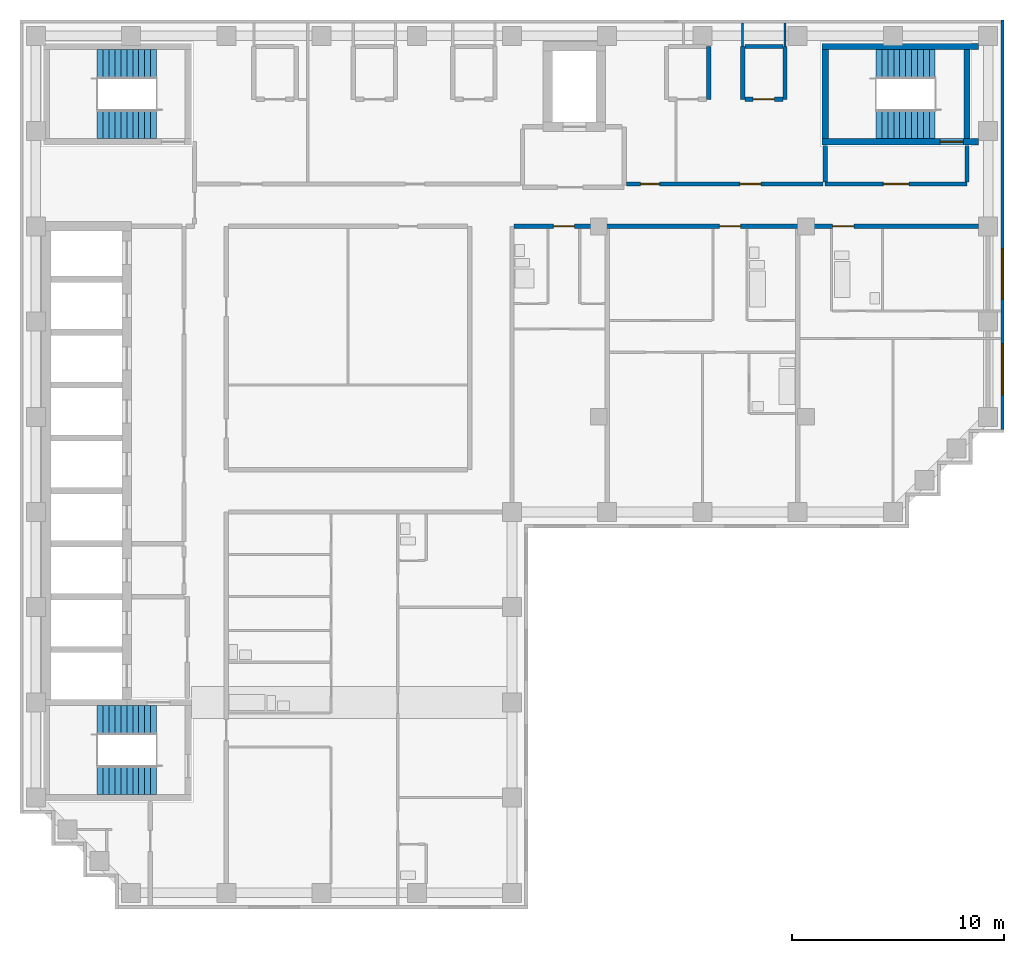
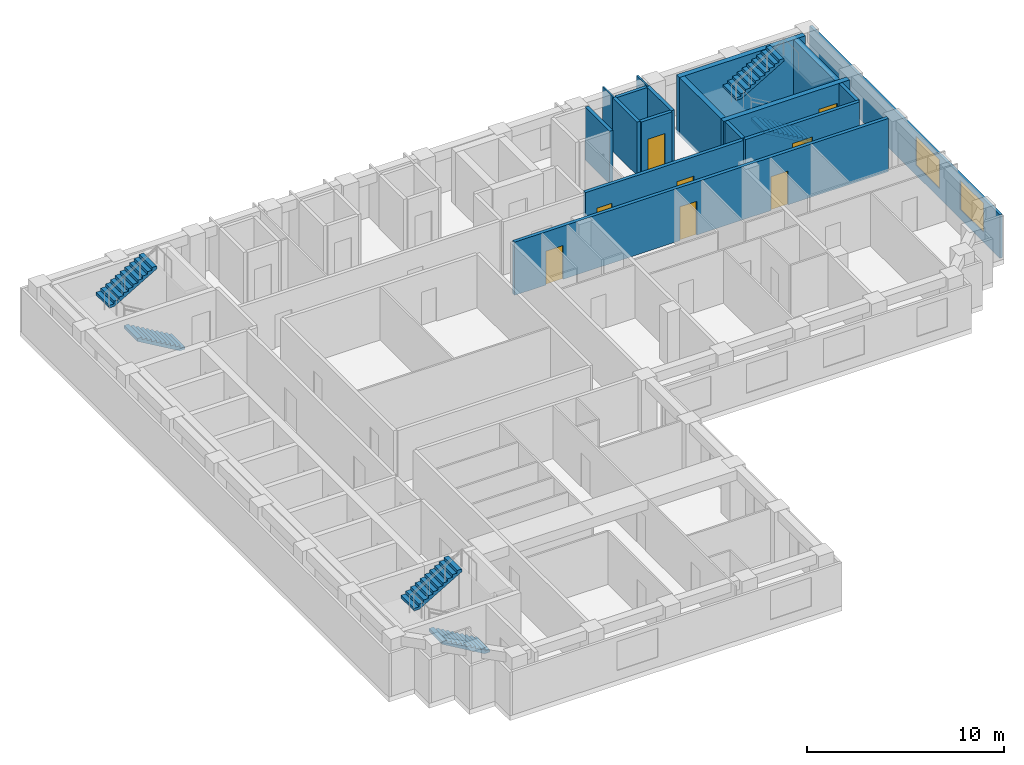
# One storey, part 6 of 8: 17 walls, 8 doors, 6 stair flights, 2 windows, 10 openings, 3 elements without a shape of their own.
"""IFC4 building model written with IfcOpenShell, lengths in metres."""

import ifcopenshell
import ifcopenshell.guid

model = None  # the IFC model being written
_history = None  # IfcOwnerHistory: only IFC2X3 demands one
_inside = {}  # id of a spatial element -> (the spatial element, [elements in it])
_under = {}  # id of a project, library or spatial element -> (it, [spatial elements below it])
_declared = {}  # id of a project -> (the project, [libraries it declares])
_typed = {}  # id of a type object -> (the type object, [elements of that type])
_made_of = {}  # id of a material, layer set ... -> (it, [elements and type objects made of it])


def new_model(schema):
    """Start an empty IFC model of exactly this schema.

    Asked for "IFC4X3", IfcOpenShell would pick the latest addendum, in which some entities
    have other attributes; the version numbers below select the first issue.
    IFC2X3 requires an IfcOwnerHistory on every rooted entity: one is made here for all.
    """
    global model, _history
    if schema == "IFC4X3":
        model = ifcopenshell.file(schema_version=(4, 3, 0, 0))
    else:
        model = ifcopenshell.file(schema=schema)
    _inside.clear()
    _under.clear()
    _declared.clear()
    _typed.clear()
    _made_of.clear()
    _history = None
    if model.schema == "IFC2X3":
        org = make("IfcOrganization", Name="unknown")
        user = make(
            "IfcPersonAndOrganization",
            ThePerson=make("IfcPerson", FamilyName="unknown"),
            TheOrganization=org,
        )
        app = make(
            "IfcApplication",
            ApplicationDeveloper=org,
            Version="unknown",
            ApplicationFullName="unknown",
            ApplicationIdentifier="unknown",
        )
        _history = make(
            "IfcOwnerHistory",
            OwningUser=user,
            OwningApplication=app,
            ChangeAction="ADDED",
            CreationDate=0,
        )
    return model


def make(cls, **values):
    """One entity of the class cls with the attributes given. An attribute that is None is left unset."""
    return model.create_entity(
        cls, **{name: value for name, value in values.items() if value is not None}
    )


def rooted(cls, **values):
    """An entity with a GlobalId (a new one), such as an element, a storey or a relation."""
    return make(cls, GlobalId=ifcopenshell.guid.new(), OwnerHistory=_history, **values)


def si_unit(unit_type, name, prefix=None):
    """IfcSIUnit, for example si_unit("LENGTHUNIT", "METRE", prefix="MILLI")."""
    return make("IfcSIUnit", UnitType=unit_type, Prefix=prefix, Name=name)


def assignment(units):
    """IfcUnitAssignment: the units of a project."""
    return None if units is None else make("IfcUnitAssignment", Units=units)


def point(xyz):
    """IfcCartesianPoint."""
    return None if xyz is None else make("IfcCartesianPoint", Coordinates=xyz)


def direction(xyz):
    """IfcDirection."""
    return None if xyz is None else make("IfcDirection", DirectionRatios=xyz)


def frame(location, z_axis=None, x_axis=None):
    """IfcAxis2Placement3D, a coordinate frame: its origin and axes. An axis left out is left unset."""
    return make(
        "IfcAxis2Placement3D",
        Location=point(location),
        Axis=direction(z_axis),
        RefDirection=direction(x_axis),
    )


def frame_2d(location, x_axis=None):
    """IfcAxis2Placement2D, a coordinate frame in the plane: its origin and x axis."""
    return make(
        "IfcAxis2Placement2D", Location=point(location), RefDirection=direction(x_axis)
    )


def origin():
    """The frame at (0, 0, 0) with its axes left unset."""
    return frame((0.0, 0.0, 0.0))


def place(relative_to, where):
    """IfcLocalPlacement: puts the frame where relative to a parent placement (None: the world)."""
    return make(
        "IfcLocalPlacement", PlacementRelTo=relative_to, RelativePlacement=where
    )


def context(
    kind, dimensions, precision=None, world=None, true_north=None, identifier=None
):
    """IfcGeometricRepresentationContext, for example the 3D "Model" context."""
    return make(
        "IfcGeometricRepresentationContext",
        ContextIdentifier=identifier,
        ContextType=kind,
        CoordinateSpaceDimension=dimensions,
        Precision=precision,
        WorldCoordinateSystem=world,
        TrueNorth=true_north,
    )


def subcontext(parent, identifier, kind, view, scale=None):
    """IfcGeometricRepresentationSubContext, for example "Body" below "Model"."""
    return make(
        "IfcGeometricRepresentationSubContext",
        ContextIdentifier=identifier,
        ContextType=kind,
        ParentContext=parent,
        TargetScale=scale,
        TargetView=view,
    )


def project(units=None, contexts=None):
    """IfcProject with its units and contexts."""
    return rooted(
        "IfcProject",
        Name="project",
        RepresentationContexts=contexts,
        UnitsInContext=assignment(units),
    )


def spatial(cls, under=None, at=None, **own):
    """A site, building, storey or space (cls), placed at a placement, below another one or the project."""
    s = rooted(cls, ObjectPlacement=at, **own)
    if under is not None:
        _under.setdefault(under.id(), (under, []))[1].append(s)
    return s


def polyline(points):
    """IfcPolyline through the points."""
    return make("IfcPolyline", Points=[point(p) for p in points])


def profile(cls, at=None, kind="AREA", **sizes):
    """A parametric profile (cls). Its sizes go by their IFC names, for example OverallWidth=200.0."""
    return make(cls, ProfileType=kind, Position=at, **sizes)


def rectangle(**sizes):
    """IfcRectangleProfileDef."""
    return profile("IfcRectangleProfileDef", **sizes)


def outline(outer, holes=None, kind="AREA"):
    """IfcArbitraryClosedProfileDef: a profile drawn as a closed curve; with holes, ...WithVoids."""
    if holes is None:
        return make("IfcArbitraryClosedProfileDef", ProfileType=kind, OuterCurve=outer)
    return make(
        "IfcArbitraryProfileDefWithVoids",
        ProfileType=kind,
        OuterCurve=outer,
        InnerCurves=holes,
    )


def extrude(swept, where, along, depth):
    """IfcExtrudedAreaSolid: the profile swept, set in the frame where, extruded along a direction by depth."""
    return make(
        "IfcExtrudedAreaSolid",
        SweptArea=swept,
        Position=where,
        ExtrudedDirection=direction(along),
        Depth=depth,
    )


def shape(context_of_items, identifier, shape_type, items):
    """IfcShapeRepresentation: the items that make up one representation, for example the "Body"."""
    return make(
        "IfcShapeRepresentation",
        ContextOfItems=context_of_items,
        RepresentationIdentifier=identifier,
        RepresentationType=shape_type,
        Items=items,
    )


def material(Name=None, Category=None):
    """IfcMaterial."""
    return make("IfcMaterial", Name=Name, Category=Category)


def layer(
    of_material, thickness, ventilated=None, Name=None, Category=None, Priority=None
):
    """IfcMaterialLayer: one layer of a wall or slab, of a material (None: an air gap)."""
    return make(
        "IfcMaterialLayer",
        Material=of_material,
        LayerThickness=thickness,
        IsVentilated=ventilated,
        Name=Name,
        Category=Category,
        Priority=Priority,
    )


def layer_set(layers, Name=None):
    """IfcMaterialLayerSet."""
    return make("IfcMaterialLayerSet", MaterialLayers=layers, LayerSetName=Name)


def made_of(thing, what):
    """Note that an element or type object is made of a material, layer set ...; save() writes the relation."""
    if what is not None:
        _made_of.setdefault(what.id(), (what, []))[1].append(thing)
    return thing


def type_object(cls, material=None, **own):
    """A type object (cls), such as IfcWallType, which elements share."""
    return made_of(rooted(cls, **own), material)


def element(
    cls,
    number,
    at=None,
    inside=None,
    cuts=None,
    type_object=None,
    material=None,
    context=None,
    identifier="Body",
    shape_type=None,
    held_by="IfcProductDefinitionShape",
    body=None,
    shapes=None,
    **own,
):
    """One element of the class cls, such as IfcWall. Its Tag is "e" and its number.

    at: its placement. inside: the storey or other place that contains it. cuts: it is an
    opening in that element (IfcRelVoidsElement). A single representation is given by context,
    identifier, shape_type and body (its items); several are given by shapes. held_by: the class
    of the entity that holds the representations. save() writes the other relations.
    """
    e = rooted(cls, Tag="e%d" % number, ObjectPlacement=at, **own)
    if body is not None:
        shapes = [shape(context, identifier, shape_type, body)]
    if shapes is not None:
        e.Representation = make(held_by, Representations=shapes)
    if inside is not None:
        _inside.setdefault(inside.id(), (inside, []))[1].append(e)
    if cuts is not None:
        rooted(
            "IfcRelVoidsElement", RelatingBuildingElement=cuts, RelatedOpeningElement=e
        )
    if type_object is not None:
        _typed.setdefault(type_object.id(), (type_object, []))[1].append(e)
    return made_of(e, material)


def fill(opening, filler):
    """IfcRelFillsElement: the door or window that sits in an opening."""
    return rooted(
        "IfcRelFillsElement",
        RelatingOpeningElement=opening,
        RelatedBuildingElement=filler,
    )


def aggregate(whole, parts):
    """IfcRelAggregates: a whole, such as a stair, and the parts it consists of."""
    return rooted("IfcRelAggregates", RelatingObject=whole, RelatedObjects=parts)


def save(model, path):
    """Write the relations noted so far, then the file.

    IfcRelAggregates (storeys below a building ...), IfcRelContainedInSpatialStructure (elements
    in a storey), IfcRelDefinesByType, IfcRelAssociatesMaterial and IfcRelDeclares: one each for
    every whole, place, type object, material and project.
    """
    for whole, parts in _under.values():
        aggregate(whole, parts)
    for where, things in _inside.values():
        rooted(
            "IfcRelContainedInSpatialStructure",
            RelatedElements=things,
            RelatingStructure=where,
        )
    for kind, things in _typed.values():
        rooted("IfcRelDefinesByType", RelatedObjects=things, RelatingType=kind)
    for what, things in _made_of.values():
        rooted("IfcRelAssociatesMaterial", RelatedObjects=things, RelatingMaterial=what)
    for by, libraries in _declared.values():
        rooted("IfcRelDeclares", RelatingContext=by, RelatedDefinitions=libraries)
    model.write(path)


model = new_model("IFC4")

# Units and contexts
model_context = context("Model", 3, precision=1e-05, world=origin(), true_north=direction((0.0, 1.0)))
body_context = subcontext(model_context, "Body", "Model", "MODEL_VIEW")
ifc_project = project(units=[si_unit("LENGTHUNIT", "METRE"), si_unit("AREAUNIT", "SQUARE_METRE"), si_unit("VOLUMEUNIT", "CUBIC_METRE"), si_unit("PLANEANGLEUNIT", "RADIAN"), si_unit("MASSUNIT", "GRAM", prefix="KILO")], contexts=[model_context])

# Site, building, storey
site_placement = place(None, origin())
site = spatial("IfcSite", under=ifc_project, at=site_placement, CompositionType="ELEMENT")
building_placement = place(site_placement, origin())
building = spatial("IfcBuilding", under=site, at=building_placement, Name="Firuza Court", CompositionType="ELEMENT")
storey_placement = place(building_placement, frame((0.0, 0.0, 251.0)))
storey = spatial("IfcBuildingStorey", under=building, at=storey_placement, Name="L65", CompositionType="ELEMENT", Elevation=251.0)

# Wall, opening, door
ifc_material_1 = material(Name="Concrete C50/60", Category="concrete")
ifc_layer_1 = layer(ifc_material_1, 0.300048828125)
ifc_layer_set_1 = layer_set([ifc_layer_1], Name="Concrete C50/60")
wall_type_1 = type_object("IfcWallType", Name="Core wall 300 C50/60", PredefinedType="SHEAR", material=ifc_layer_set_1)
wall_1_placement = place(storey_placement, frame((37.14990234375, 53.5, -0.300048828125), z_axis=(0.0, 0.0, 1.0), x_axis=(1.0, 0.0, 0.0)))
wall_1 = element("IfcWall", 1, at=wall_1_placement, inside=storey, type_object=wall_type_1, Name="Core wall stair L65", PredefinedType="SHEAR", context=body_context, shape_type="SweptSolid", body=[
    extrude(rectangle(XDim=7.400146484375, YDim=0.300048828125, at=frame_2d((3.7001953125, 0.0))), origin(), (0.0, 0.0, 1.0), 3.60009765625),
])
opening_1_placement = place(wall_1_placement, frame((5.580078125, 0.0, 0.300048828125)))
opening_1 = element("IfcOpeningElement", 2, at=opening_1_placement, cuts=wall_1, Name="Opening D65008", PredefinedType="OPENING", context=body_context, shape_type="SweptSolid", body=[
    extrude(rectangle(XDim=1.10009765625, YDim=2.10009765625, at=frame_2d((0.550048828125, 1.050048828125))), frame((0.0, 0.162109375, 0.0), z_axis=(0.0, -1.0, 0.0), x_axis=(1.0, 0.0, 0.0)), (0.0, 0.0, 1.0), 0.323974609375),
])
ifc_material_2 = material(Name="Timber door leaf in hardwood frame", Category="wood")
door_type_1 = type_object("IfcDoorType", Name="Stair door 1100", OperationType="SINGLE_SWING_LEFT", PredefinedType="DOOR", material=ifc_material_2)
door_1_placement = place(opening_1_placement, origin())
door_1 = element("IfcDoor", 3, at=door_1_placement, inside=storey, type_object=door_type_1, Name="Stair door S1", OperationType="SINGLE_SWING_RIGHT", OverallHeight=2.10009765625, OverallWidth=1.10009765625, PredefinedType="DOOR", context=body_context, shape_type="SweptSolid", body=[
    extrude(rectangle(XDim=1.10009765625, YDim=2.10009765625, at=frame_2d((0.550048828125, 1.050048828125))), frame((0.0, 0.02490234375, 0.0), z_axis=(0.0, -1.0, 0.0), x_axis=(1.0, 0.0, 0.0)), (0.0, 0.0, 1.0), 0.050048828125),
])
fill(opening_1, door_1)

# Walls
wall_2_placement = place(storey_placement, frame((37.14990234375, 58.0, -0.300048828125), z_axis=(0.0, 0.0, 1.0), x_axis=(1.0, 0.0, 0.0)))
element("IfcWall", 4, at=wall_2_placement, inside=storey, type_object=wall_type_1, Name="Core wall stair L65", PredefinedType="SHEAR", context=body_context, shape_type="SweptSolid", body=[
    extrude(rectangle(XDim=7.400146484375, YDim=0.300048828125, at=frame_2d((3.7001953125, 0.0))), origin(), (0.0, 0.0, 1.0), 3.60009765625),
])
for number, where, z_axis, x_axis, name in (
    (5, (37.300048828125, 53.64990234375, -0.300048828125), (0.0, 0.0, 1.0), (0.0, 1.0, 0.0), "Core wall stair L65"),
    (6, (44.0, 53.64990234375, -0.300048828125), (0.0, 0.0, 1.0), (0.0, 1.0, 0.0), "Core wall stair L65"),
):
    element("IfcWall", number, at=place(storey_placement, frame(where, z_axis=z_axis, x_axis=x_axis)), inside=storey, type_object=wall_type_1, Name=name, PredefinedType="SHEAR", context=body_context, shape_type="SweptSolid", body=[
        extrude(rectangle(XDim=4.2001953125, YDim=0.300048828125, at=frame_2d((2.10009765625, 0.0))), origin(), (0.0, 0.0, 1.0), 3.60009765625),
    ])

# Wall, openings, doors
ifc_material_3 = material(Name="Blockwork, plastered both sides", Category="masonry")
ifc_layer_2 = layer(ifc_material_3, 0.199951171875)
ifc_layer_set_2 = layer_set([ifc_layer_2], Name="Blockwork, plastered both sides")
wall_type_2 = type_object("IfcWallType", Name="Corridor wall 200", PredefinedType="PARTITIONING", material=ifc_layer_set_2)
wall_3_placement = place(storey_placement, frame((22.60009765625, 49.5, 0.0), z_axis=(0.0, 0.0, 1.0), x_axis=(1.0, 0.0, 0.0)))
wall_3 = element("IfcWall", 7, at=wall_3_placement, inside=storey, type_object=wall_type_2, Name="Corridor wall 200 L65", PredefinedType="PARTITIONING", context=body_context, shape_type="SweptSolid", body=[
    extrude(rectangle(XDim=21.949951171875, YDim=0.199951171875, at=frame_2d((10.97509765625, 0.0))), origin(), (0.0, 0.0, 1.0), 3.300048828125),
])
opening_2_placement = place(wall_3_placement, frame((1.85009765625, 0.0, 0.0)))
opening_2 = element("IfcOpeningElement", 8, at=opening_2_placement, cuts=wall_3, Name="Opening D65040", PredefinedType="OPENING", context=body_context, shape_type="SweptSolid", body=[
    extrude(rectangle(XDim=1.0, YDim=2.10009765625, at=frame_2d((0.5, 1.050048828125))), frame((0.0, 0.11181640625, 0.0), z_axis=(0.0, -1.0, 0.0), x_axis=(1.0, 0.0, 0.0)), (0.0, 0.0, 1.0), 0.223876953125),
])
opening_3_placement = place(wall_3_placement, frame((9.699951171875, 0.0, 0.0)))
opening_3 = element("IfcOpeningElement", 9, at=opening_3_placement, cuts=wall_3, Name="Opening D65041", PredefinedType="OPENING", context=body_context, shape_type="SweptSolid", body=[
    extrude(rectangle(XDim=1.0, YDim=2.10009765625, at=frame_2d((0.5, 1.050048828125))), frame((0.0, 0.11181640625, 0.0), z_axis=(0.0, -1.0, 0.0), x_axis=(1.0, 0.0, 0.0)), (0.0, 0.0, 1.0), 0.223876953125),
])
opening_4_placement = place(wall_3_placement, frame((15.050048828125, 0.0, 0.0)))
opening_4 = element("IfcOpeningElement", 10, at=opening_4_placement, cuts=wall_3, Name="Opening D65042", PredefinedType="OPENING", context=body_context, shape_type="SweptSolid", body=[
    extrude(rectangle(XDim=1.0, YDim=2.10009765625, at=frame_2d((0.5, 1.050048828125))), frame((0.0, 0.11181640625, 0.0), z_axis=(0.0, -1.0, 0.0), x_axis=(1.0, 0.0, 0.0)), (0.0, 0.0, 1.0), 0.223876953125),
])
ifc_material_4 = material(Name="Timber door leaf in hardwood frame", Category="wood")
door_type_2 = type_object("IfcDoorType", Name="Flat entrance door 1000", OperationType="SINGLE_SWING_LEFT", PredefinedType="DOOR", material=ifc_material_4)
door_2_placement = place(opening_2_placement, origin())
door_2 = element("IfcDoor", 11, at=door_2_placement, inside=storey, type_object=door_type_2, Name="Flat entrance door", OperationType="SINGLE_SWING_RIGHT", OverallHeight=2.10009765625, OverallWidth=1.0, PredefinedType="DOOR", context=body_context, shape_type="SweptSolid", body=[
    extrude(rectangle(XDim=1.0, YDim=2.10009765625, at=frame_2d((0.5, 1.050048828125))), frame((0.0, 0.02490234375, 0.0), z_axis=(0.0, -1.0, 0.0), x_axis=(1.0, 0.0, 0.0)), (0.0, 0.0, 1.0), 0.050048828125),
])
fill(opening_2, door_2)
door_3_placement = place(opening_3_placement, origin())
door_3 = element("IfcDoor", 12, at=door_3_placement, inside=storey, type_object=door_type_2, Name="Flat entrance door", OperationType="SINGLE_SWING_RIGHT", OverallHeight=2.10009765625, OverallWidth=1.0, PredefinedType="DOOR", context=body_context, shape_type="SweptSolid", body=[
    extrude(rectangle(XDim=1.0, YDim=2.10009765625, at=frame_2d((0.5, 1.050048828125))), frame((0.0, 0.02490234375, 0.0), z_axis=(0.0, -1.0, 0.0), x_axis=(1.0, 0.0, 0.0)), (0.0, 0.0, 1.0), 0.050048828125),
])
fill(opening_3, door_3)
door_4_placement = place(opening_4_placement, frame((1.0, 0.0, 0.0), z_axis=(0.0, 0.0, 1.0), x_axis=(-1.0, 0.0, 0.0)))
door_4 = element("IfcDoor", 13, at=door_4_placement, inside=storey, type_object=door_type_2, Name="Flat entrance door", OperationType="SINGLE_SWING_RIGHT", OverallHeight=2.10009765625, OverallWidth=1.0, PredefinedType="DOOR", context=body_context, shape_type="SweptSolid", body=[
    extrude(rectangle(XDim=1.0, YDim=2.10009765625, at=frame_2d((0.5, 1.050048828125))), frame((0.0, 0.02490234375, 0.0), z_axis=(0.0, -1.0, 0.0), x_axis=(1.0, 0.0, 0.0)), (0.0, 0.0, 1.0), 0.050048828125),
])
fill(opening_4, door_4)

wall_4_placement = place(storey_placement, frame((27.89990234375, 51.5, 0.0), z_axis=(0.0, 0.0, 1.0), x_axis=(1.0, 0.0, 0.0)))
wall_4 = element("IfcWall", 14, at=wall_4_placement, inside=storey, type_object=wall_type_2, Name="Corridor wall 200 L65", PredefinedType="PARTITIONING", context=body_context, shape_type="SweptSolid", body=[
    extrude(rectangle(XDim=9.300048828125, YDim=0.199951171875, at=frame_2d((4.64990234375, 0.0))), origin(), (0.0, 0.0, 1.0), 3.300048828125),
])
opening_5_placement = place(wall_4_placement, frame((0.675048828125, 0.0, 0.0)))
opening_5 = element("IfcOpeningElement", 15, at=opening_5_placement, cuts=wall_4, Name="Opening D65045", PredefinedType="OPENING", context=body_context, shape_type="SweptSolid", body=[
    extrude(rectangle(XDim=0.89990234375, YDim=2.10009765625, at=frame_2d((0.449951171875, 1.050048828125))), frame((0.0, 0.11181640625, 0.0), z_axis=(0.0, -1.0, 0.0), x_axis=(1.0, 0.0, 0.0)), (0.0, 0.0, 1.0), 0.223876953125),
])
opening_6_placement = place(wall_4_placement, frame((5.375, 0.0, 0.0)))
opening_6 = element("IfcOpeningElement", 16, at=opening_6_placement, cuts=wall_4, Name="Opening D65046", PredefinedType="OPENING", context=body_context, shape_type="SweptSolid", body=[
    extrude(rectangle(XDim=1.0, YDim=2.10009765625, at=frame_2d((0.5, 1.050048828125))), frame((0.0, 0.11181640625, 0.0), z_axis=(0.0, -1.0, 0.0), x_axis=(1.0, 0.0, 0.0)), (0.0, 0.0, 1.0), 0.223876953125),
])
ifc_material_5 = material(Name="Timber door leaf in hardwood frame", Category="wood")
door_type_3 = type_object("IfcDoorType", Name="Room door 900 EI 30", OperationType="SINGLE_SWING_LEFT", PredefinedType="DOOR", material=ifc_material_5)
door_5_placement = place(opening_5_placement, origin())
door_5 = element("IfcDoor", 17, at=door_5_placement, inside=storey, type_object=door_type_3, Name="Meeting room door", OperationType="SINGLE_SWING_LEFT", OverallHeight=2.10009765625, OverallWidth=0.89990234375, PredefinedType="DOOR", context=body_context, shape_type="SweptSolid", body=[
    extrude(rectangle(XDim=0.89990234375, YDim=2.10009765625, at=frame_2d((0.449951171875, 1.050048828125))), frame((0.0, 0.02490234375, 0.0), z_axis=(0.0, -1.0, 0.0), x_axis=(1.0, 0.0, 0.0)), (0.0, 0.0, 1.0), 0.050048828125),
])
fill(opening_5, door_5)
ifc_material_6 = material(Name="Timber door leaf in hardwood frame", Category="wood")
door_type_4 = type_object("IfcDoorType", Name="Store door 1000", OperationType="SINGLE_SWING_LEFT", PredefinedType="DOOR", material=ifc_material_6)
door_6_placement = place(opening_6_placement, origin())
door_6 = element("IfcDoor", 18, at=door_6_placement, inside=storey, type_object=door_type_4, Name="Electrical room door", OperationType="SINGLE_SWING_LEFT", OverallHeight=2.10009765625, OverallWidth=1.0, PredefinedType="DOOR", context=body_context, shape_type="SweptSolid", body=[
    extrude(rectangle(XDim=1.0, YDim=2.10009765625, at=frame_2d((0.5, 1.050048828125))), frame((0.0, 0.02490234375, 0.0), z_axis=(0.0, -1.0, 0.0), x_axis=(1.0, 0.0, 0.0)), (0.0, 0.0, 1.0), 0.050048828125),
])
fill(opening_6, door_6)

# Walls
ifc_material_7 = material(Name="Timber stud partition, plasterboard both sides", Category="wood")
ifc_layer_3 = layer(ifc_material_7, 0.10009765625)
ifc_layer_set_3 = layer_set([ifc_layer_3], Name="Timber stud partition, plasterboard both sides")
wall_type_3 = type_object("IfcWallType", Name="Partition wall 100", PredefinedType="PARTITIONING", material=ifc_layer_set_3)
for number, where, z_axis, x_axis, name in (
    (19, (33.39990234375, 58.0, 0.0), (0.0, 0.0, 1.0), (0.0, 1.0, 0.0), "Partition wall 100 L65"),
    (20, (35.39990234375, 58.0, 0.0), (0.0, 0.0, 1.0), (0.0, 1.0, 0.0), "Partition wall 100 L65"),
):
    element("IfcWall", number, at=place(storey_placement, frame(where, z_axis=z_axis, x_axis=x_axis)), inside=storey, type_object=wall_type_3, Name=name, PredefinedType="PARTITIONING", context=body_context, shape_type="SweptSolid", body=[
        extrude(rectangle(XDim=1.10009765625, YDim=0.10009765625, at=frame_2d((0.550048828125, 0.0))), origin(), (0.0, 0.0, 1.0), 3.300048828125),
    ])
ifc_material_8 = material(Name="Blockwork, fire-rated", Category="masonry")
ifc_layer_4 = layer(ifc_material_8, 0.199951171875)
ifc_layer_set_4 = layer_set([ifc_layer_4], Name="Blockwork, fire-rated")
wall_type_4 = type_object("IfcWallType", Name="Plant room wall 200", PredefinedType="PARTITIONING", material=ifc_layer_set_4)
for number, where, z_axis, x_axis, name in (
    (21, (31.800048828125, 55.5, 0.0), (0.0, 0.0, 1.0), (0.0, 1.0, 0.0), "Plant room wall 200 L65"),
    (22, (33.39990234375, 55.5, 0.0), (0.0, 0.0, 1.0), (0.0, 1.0, 0.0), "Plant room wall 200 L65"),
):
    element("IfcWall", number, at=place(storey_placement, frame(where, z_axis=z_axis, x_axis=x_axis)), inside=storey, type_object=wall_type_4, Name=name, PredefinedType="PARTITIONING", context=body_context, shape_type="SweptSolid", body=[
        extrude(rectangle(XDim=2.5, YDim=0.199951171875, at=frame_2d((1.25, 0.0))), origin(), (0.0, 0.0, 1.0), 3.300048828125),
    ])

# Wall, opening, door
wall_5_placement = place(storey_placement, frame((33.5, 55.5, 0.0), z_axis=(0.0, 0.0, 1.0), x_axis=(1.0, 0.0, 0.0)))
wall_5 = element("IfcWall", 23, at=wall_5_placement, inside=storey, type_object=wall_type_4, Name="Plant room wall 200 L65", PredefinedType="PARTITIONING", context=body_context, shape_type="SweptSolid", body=[
    extrude(rectangle(XDim=1.800048828125, YDim=0.199951171875, at=frame_2d((0.89990234375, 0.0))), origin(), (0.0, 0.0, 1.0), 3.300048828125),
])
opening_7_placement = place(wall_5_placement, frame((0.39990234375, 0.0, 0.0)))
opening_7 = element("IfcOpeningElement", 24, at=opening_7_placement, cuts=wall_5, Name="Opening D65051", PredefinedType="OPENING", context=body_context, shape_type="SweptSolid", body=[
    extrude(rectangle(XDim=1.0, YDim=2.10009765625, at=frame_2d((0.5, 1.050048828125))), frame((0.0, 0.11181640625, 0.0), z_axis=(0.0, -1.0, 0.0), x_axis=(1.0, 0.0, 0.0)), (0.0, 0.0, 1.0), 0.223876953125),
])
ifc_material_9 = material(Name="Timber door leaf in hardwood frame", Category="wood")
door_type_5 = type_object("IfcDoorType", Name="Riser door 1000", OperationType="SINGLE_SWING_LEFT", PredefinedType="DOOR", material=ifc_material_9)
door_7_placement = place(opening_7_placement, origin())
door_7 = element("IfcDoor", 25, at=door_7_placement, inside=storey, type_object=door_type_5, Name="Duct riser door", OperationType="SINGLE_SWING_LEFT", OverallHeight=2.10009765625, OverallWidth=1.0, PredefinedType="DOOR", context=body_context, shape_type="SweptSolid", body=[
    extrude(rectangle(XDim=1.0, YDim=2.10009765625, at=frame_2d((0.5, 1.050048828125))), frame((0.0, 0.02490234375, 0.0), z_axis=(0.0, -1.0, 0.0), x_axis=(1.0, 0.0, 0.0)), (0.0, 0.0, 1.0), 0.050048828125),
])
fill(opening_7, door_7)

# Walls
wall_6_placement = place(storey_placement, frame((35.39990234375, 55.5, 0.0), z_axis=(0.0, 0.0, 1.0), x_axis=(0.0, 1.0, 0.0)))
element("IfcWall", 26, at=wall_6_placement, inside=storey, type_object=wall_type_4, Name="Plant room wall 200 L65", PredefinedType="PARTITIONING", context=body_context, shape_type="SweptSolid", body=[
    extrude(rectangle(XDim=2.5, YDim=0.199951171875, at=frame_2d((1.25, 0.0))), origin(), (0.0, 0.0, 1.0), 3.300048828125),
])
wall_7_placement = place(storey_placement, frame((33.5, 58.0, 0.0), z_axis=(0.0, 0.0, 1.0), x_axis=(1.0, 0.0, 0.0)))
element("IfcWall", 27, at=wall_7_placement, inside=storey, type_object=wall_type_4, Name="Plant room wall 200 L65", PredefinedType="PARTITIONING", context=body_context, shape_type="SweptSolid", body=[
    extrude(rectangle(XDim=1.800048828125, YDim=0.199951171875, at=frame_2d((0.89990234375, 0.0))), origin(), (0.0, 0.0, 1.0), 3.300048828125),
])

# Wall, openings, windows
ifc_material_10 = material(Name="Ceramic tile", Category="ceramic")
ifc_layer_5 = layer(ifc_material_10, 0.02001953125)
ifc_material_11 = material(Name="Mineral wool insulation", Category="insulation")
ifc_layer_6 = layer(ifc_material_11, 0.050048828125)
ifc_material_12 = material(Name="Concrete C40/50 precast", Category="concrete")
ifc_layer_7 = layer(ifc_material_12, 0.080078125)
ifc_layer_set_5 = layer_set([ifc_layer_5, ifc_layer_6, ifc_layer_7], Name="Concrete C40/50 precast")
wall_type_5 = type_object("IfcWallType", Name="Precast cladding wall with turquoise TILE PANEL face 150", PredefinedType="STANDARD", material=ifc_layer_set_5)
wall_8_placement = place(storey_placement, frame((45.675048828125, 39.89990234375, 0.0), z_axis=(0.0, 0.0, 1.0), x_axis=(0.0, 1.0, 0.0)))
wall_8 = element("IfcWall", 28, at=wall_8_placement, inside=storey, type_object=wall_type_5, Name="Facade wall L65 E", PredefinedType="STANDARD", context=body_context, shape_type="SweptSolid", body=[
    extrude(rectangle(XDim=19.35009765625, YDim=0.14990234375, at=frame_2d((9.675048828125, 0.0))), origin(), (0.0, 0.0, 1.0), 2.699951171875),
])
opening_8_placement = place(wall_8_placement, frame((1.64990234375, 0.0, 0.60009765625)))
opening_8 = element("IfcOpeningElement", 29, at=opening_8_placement, cuts=wall_8, Name="Opening W1", PredefinedType="OPENING", context=body_context, shape_type="SweptSolid", body=[
    extrude(rectangle(XDim=2.39990234375, YDim=1.800048828125, at=frame_2d((1.199951171875, 0.89990234375))), frame((0.0, 0.0869140625, 0.0), z_axis=(0.0, -1.0, 0.0), x_axis=(1.0, 0.0, 0.0)), (0.0, 0.0, 1.0), 0.173828125),
])
opening_9_placement = place(wall_8_placement, frame((6.14990234375, 0.0, 0.60009765625)))
opening_9 = element("IfcOpeningElement", 30, at=opening_9_placement, cuts=wall_8, Name="Opening W1", PredefinedType="OPENING", context=body_context, shape_type="SweptSolid", body=[
    extrude(rectangle(XDim=2.39990234375, YDim=1.800048828125, at=frame_2d((1.199951171875, 0.89990234375))), frame((0.0, 0.0869140625, 0.0), z_axis=(0.0, -1.0, 0.0), x_axis=(1.0, 0.0, 0.0)), (0.0, 0.0, 1.0), 0.173828125),
])
ifc_material_13 = material(Name="Aluminium frame, triple clear glazing", Category="aluminium")
window_type = type_object("IfcWindowType", Name="Window W1 2400 x 1800", PartitioningType="SINGLE_PANEL", PredefinedType="WINDOW", material=ifc_material_13)
window_1_placement = place(opening_8_placement, origin())
window_1 = element("IfcWindow", 31, at=window_1_placement, inside=storey, type_object=window_type, Name="Window L65", OverallHeight=1.800048828125, OverallWidth=2.39990234375, PartitioningType="SINGLE_PANEL", PredefinedType="WINDOW", context=body_context, shape_type="SweptSolid", body=[
    extrude(rectangle(XDim=2.39990234375, YDim=1.800048828125, at=frame_2d((1.199951171875, 0.89990234375))), frame((0.0, 0.030029296875, 0.0), z_axis=(0.0, -1.0, 0.0), x_axis=(1.0, 0.0, 0.0)), (0.0, 0.0, 1.0), 0.06005859375),
])
fill(opening_8, window_1)
window_2_placement = place(opening_9_placement, origin())
window_2 = element("IfcWindow", 32, at=window_2_placement, inside=storey, type_object=window_type, Name="Window L65", OverallHeight=1.800048828125, OverallWidth=2.39990234375, PartitioningType="SINGLE_PANEL", PredefinedType="WINDOW", context=body_context, shape_type="SweptSolid", body=[
    extrude(rectangle(XDim=2.39990234375, YDim=1.800048828125, at=frame_2d((1.199951171875, 0.89990234375))), frame((0.0, 0.030029296875, 0.0), z_axis=(0.0, -1.0, 0.0), x_axis=(1.0, 0.0, 0.0)), (0.0, 0.0, 1.0), 0.06005859375),
])
fill(opening_9, window_2)

# Wall, opening, door
ifc_layer_8 = layer(ifc_material_8, 0.199951171875)
ifc_layer_set_6 = layer_set([ifc_layer_8], Name="Blockwork, fire-rated")
wall_type_6 = type_object("IfcWallType", Name="Shaft wall 200", PredefinedType="PARTITIONING", material=ifc_layer_set_6)
wall_9_placement = place(storey_placement, frame((37.300048828125, 51.5, 0.0), z_axis=(0.0, 0.0, 1.0), x_axis=(1.0, 0.0, 0.0)))
wall_9 = element("IfcWall", 33, at=wall_9_placement, inside=storey, type_object=wall_type_6, Name="Shaft wall 200 L65", PredefinedType="PARTITIONING", context=body_context, shape_type="SweptSolid", body=[
    extrude(rectangle(XDim=6.699951171875, YDim=0.199951171875, at=frame_2d((3.35009765625, 0.0))), origin(), (0.0, 0.0, 1.0), 3.300048828125),
])
opening_10_placement = place(wall_9_placement, frame((2.75, 0.0, 0.0)))
opening_10 = element("IfcOpeningElement", 34, at=opening_10_placement, cuts=wall_9, Name="Opening D65006", PredefinedType="OPENING", context=body_context, shape_type="SweptSolid", body=[
    extrude(rectangle(XDim=1.199951171875, YDim=2.10009765625, at=frame_2d((0.60009765625, 1.050048828125))), frame((0.0, 0.11181640625, 0.0), z_axis=(0.0, -1.0, 0.0), x_axis=(1.0, 0.0, 0.0)), (0.0, 0.0, 1.0), 0.223876953125),
])
ifc_material_14 = material(Name="Timber door leaf in hardwood frame", Category="wood")
door_type_6 = type_object("IfcDoorType", Name="Lobby door 1200", OperationType="SINGLE_SWING_LEFT", PredefinedType="DOOR", material=ifc_material_14)
door_8_placement = place(opening_10_placement, origin())
door_8 = element("IfcDoor", 35, at=door_8_placement, inside=storey, type_object=door_type_6, Name="Lobby door", OperationType="SINGLE_SWING_LEFT", OverallHeight=2.10009765625, OverallWidth=1.199951171875, PredefinedType="DOOR", context=body_context, shape_type="SweptSolid", body=[
    extrude(rectangle(XDim=1.199951171875, YDim=2.10009765625, at=frame_2d((0.60009765625, 1.050048828125))), frame((0.0, 0.02490234375, 0.0), z_axis=(0.0, -1.0, 0.0), x_axis=(1.0, 0.0, 0.0)), (0.0, 0.0, 1.0), 0.050048828125),
])
fill(opening_10, door_8)

# Walls
for number, where, z_axis, x_axis, name in (
    (36, (44.0, 51.60009765625, 0.0), (0.0, 0.0, 1.0), (0.0, 1.0, 0.0), "Shaft wall 200 L65"),
    (37, (37.300048828125, 51.60009765625, 0.0), (0.0, 0.0, 1.0), (0.0, 1.0, 0.0), "Shaft wall 200 L65"),
):
    element("IfcWall", number, at=place(storey_placement, frame(where, z_axis=z_axis, x_axis=x_axis)), inside=storey, type_object=wall_type_6, Name=name, PredefinedType="PARTITIONING", context=body_context, shape_type="SweptSolid", body=[
        extrude(rectangle(XDim=1.72998046875, YDim=0.199951171875, at=frame_2d((0.864990234375, 0.0))), origin(), (0.0, 0.0, 1.0), 3.300048828125),
    ])

# Stair, stair flights
ifc_material_15 = material(Name="Concrete C40/50 precast", Category="concrete")
stair_type = type_object("IfcStairType", Name="Stair 1350 x 3600 2 flights", PredefinedType="HALF_TURN_STAIR", material=ifc_material_15)
stair_1_placement = place(storey_placement, origin())
stair_1 = element("IfcStair", 38, at=stair_1_placement, inside=storey, type_object=stair_type, Name="Stair 1 L65", PredefinedType="HALF_TURN_STAIR")
ifc_material_16 = material(Name="Concrete C40/50 precast", Category="concrete")
stair_flight_type = type_object("IfcStairFlightType", Name="Flight 1350 riser 163.6", PredefinedType="STRAIGHT", material=ifc_material_16)
stair_flight_1_placement = place(storey_placement, frame((42.5, 54.324951171875, 0.0), z_axis=(0.0, 0.0, 1.0), x_axis=(-1.0, 0.0, 0.0)))
stair_flight_1 = element("IfcStairFlight", 39, at=stair_flight_1_placement, type_object=stair_flight_type, Name="S1 flight 1", NumberOfRisers=11, NumberOfTreads=10, PredefinedType="STRAIGHT", RiserHeight=0.163636364, TreadLength=0.28, context=body_context, shape_type="SweptSolid", body=[
    extrude(outline(polyline([(0.0, 0.0), (0.0, 0.16357421875), (0.280029296875, 0.16357421875), (0.280029296875, 0.327392578125), (0.56005859375, 0.327392578125), (0.56005859375, 0.490966796875), (0.840087890625, 0.490966796875), (0.840087890625, 0.654541015625), (1.1201171875, 0.654541015625), (1.1201171875, 0.818115234375), (1.39990234375, 0.818115234375), (1.39990234375, 0.98193359375), (1.679931640625, 0.98193359375), (1.679931640625, 1.1455078125), (1.9599609375, 1.1455078125), (1.9599609375, 1.30908203125), (2.239990234375, 1.30908203125), (2.239990234375, 1.47265625), (2.52001953125, 1.47265625), (2.52001953125, 1.636474609375), (2.800048828125, 1.636474609375), (2.800048828125, 1.800048828125), (2.800048828125, 1.462646484375), (0.297119140625, 0.0), (0.0, 0.0)])), frame((0.0, 0.675048828125, 0.0), z_axis=(0.0, -1.0, 0.0), x_axis=(1.0, 0.0, 0.0)), (0.0, 0.0, 1.0), 1.35009765625),
])
stair_flight_2_placement = place(storey_placement, frame((39.699951171875, 57.175048828125, 1.800048828125), z_axis=(0.0, 0.0, 1.0), x_axis=(1.0, 0.0, 0.0)))
stair_flight_2 = element("IfcStairFlight", 40, at=stair_flight_2_placement, type_object=stair_flight_type, Name="S1 flight 2", NumberOfRisers=11, NumberOfTreads=10, PredefinedType="STRAIGHT", RiserHeight=0.163636364, TreadLength=0.28, context=body_context, shape_type="SweptSolid", body=[
    extrude(outline(polyline([(0.0, 0.0), (0.0, 0.16357421875), (0.280029296875, 0.16357421875), (0.280029296875, 0.327392578125), (0.56005859375, 0.327392578125), (0.56005859375, 0.490966796875), (0.840087890625, 0.490966796875), (0.840087890625, 0.654541015625), (1.1201171875, 0.654541015625), (1.1201171875, 0.818115234375), (1.39990234375, 0.818115234375), (1.39990234375, 0.98193359375), (1.679931640625, 0.98193359375), (1.679931640625, 1.1455078125), (1.9599609375, 1.1455078125), (1.9599609375, 1.30908203125), (2.239990234375, 1.30908203125), (2.239990234375, 1.47265625), (2.52001953125, 1.47265625), (2.52001953125, 1.636474609375), (2.800048828125, 1.636474609375), (2.800048828125, 1.800048828125), (2.800048828125, 1.462646484375), (0.297119140625, 0.0), (0.0, 0.0)])), frame((0.0, 0.675048828125, 0.0), z_axis=(0.0, -1.0, 0.0), x_axis=(1.0, 0.0, 0.0)), (0.0, 0.0, 1.0), 1.35009765625),
])
aggregate(stair_1, [stair_flight_1, stair_flight_2])

stair_2_placement = place(storey_placement, origin())
stair_2 = element("IfcStair", 41, at=stair_2_placement, inside=storey, type_object=stair_type, Name="Stair 2 L65", PredefinedType="HALF_TURN_STAIR")
stair_flight_3_placement = place(storey_placement, frame((5.699951171875, 23.324951171875, 0.0), z_axis=(0.0, 0.0, 1.0), x_axis=(-1.0, 0.0, 0.0)))
stair_flight_3 = element("IfcStairFlight", 42, at=stair_flight_3_placement, type_object=stair_flight_type, Name="S2 flight 1", NumberOfRisers=11, NumberOfTreads=10, PredefinedType="STRAIGHT", RiserHeight=0.163636364, TreadLength=0.28, context=body_context, shape_type="SweptSolid", body=[
    extrude(outline(polyline([(0.0, 0.0), (0.0, 0.16357421875), (0.280029296875, 0.16357421875), (0.280029296875, 0.327392578125), (0.56005859375, 0.327392578125), (0.56005859375, 0.490966796875), (0.840087890625, 0.490966796875), (0.840087890625, 0.654541015625), (1.1201171875, 0.654541015625), (1.1201171875, 0.818115234375), (1.39990234375, 0.818115234375), (1.39990234375, 0.98193359375), (1.679931640625, 0.98193359375), (1.679931640625, 1.1455078125), (1.9599609375, 1.1455078125), (1.9599609375, 1.30908203125), (2.239990234375, 1.30908203125), (2.239990234375, 1.47265625), (2.52001953125, 1.47265625), (2.52001953125, 1.636474609375), (2.800048828125, 1.636474609375), (2.800048828125, 1.800048828125), (2.800048828125, 1.462646484375), (0.297119140625, 0.0), (0.0, 0.0)])), frame((0.0, 0.675048828125, 0.0), z_axis=(0.0, -1.0, 0.0), x_axis=(1.0, 0.0, 0.0)), (0.0, 0.0, 1.0), 1.35009765625),
])
stair_flight_4_placement = place(storey_placement, frame((2.89990234375, 26.175048828125, 1.800048828125), z_axis=(0.0, 0.0, 1.0), x_axis=(1.0, 0.0, 0.0)))
stair_flight_4 = element("IfcStairFlight", 43, at=stair_flight_4_placement, type_object=stair_flight_type, Name="S2 flight 2", NumberOfRisers=11, NumberOfTreads=10, PredefinedType="STRAIGHT", RiserHeight=0.163636364, TreadLength=0.28, context=body_context, shape_type="SweptSolid", body=[
    extrude(outline(polyline([(0.0, 0.0), (0.0, 0.16357421875), (0.280029296875, 0.16357421875), (0.280029296875, 0.327392578125), (0.56005859375, 0.327392578125), (0.56005859375, 0.490966796875), (0.840087890625, 0.490966796875), (0.840087890625, 0.654541015625), (1.1201171875, 0.654541015625), (1.1201171875, 0.818115234375), (1.39990234375, 0.818115234375), (1.39990234375, 0.98193359375), (1.679931640625, 0.98193359375), (1.679931640625, 1.1455078125), (1.9599609375, 1.1455078125), (1.9599609375, 1.30908203125), (2.239990234375, 1.30908203125), (2.239990234375, 1.47265625), (2.52001953125, 1.47265625), (2.52001953125, 1.636474609375), (2.800048828125, 1.636474609375), (2.800048828125, 1.800048828125), (2.800048828125, 1.462646484375), (0.297119140625, 0.0), (0.0, 0.0)])), frame((0.0, 0.675048828125, 0.0), z_axis=(0.0, -1.0, 0.0), x_axis=(1.0, 0.0, 0.0)), (0.0, 0.0, 1.0), 1.35009765625),
])
aggregate(stair_2, [stair_flight_3, stair_flight_4])

stair_3_placement = place(storey_placement, origin())
stair_3 = element("IfcStair", 44, at=stair_3_placement, inside=storey, type_object=stair_type, Name="Stair 3 L65", PredefinedType="HALF_TURN_STAIR")
stair_flight_5_placement = place(storey_placement, frame((5.699951171875, 54.324951171875, 0.0), z_axis=(0.0, 0.0, 1.0), x_axis=(-1.0, 0.0, 0.0)))
stair_flight_5 = element("IfcStairFlight", 45, at=stair_flight_5_placement, type_object=stair_flight_type, Name="S3 flight 1", NumberOfRisers=11, NumberOfTreads=10, PredefinedType="STRAIGHT", RiserHeight=0.163636364, TreadLength=0.28, context=body_context, shape_type="SweptSolid", body=[
    extrude(outline(polyline([(0.0, 0.0), (0.0, 0.16357421875), (0.280029296875, 0.16357421875), (0.280029296875, 0.327392578125), (0.56005859375, 0.327392578125), (0.56005859375, 0.490966796875), (0.840087890625, 0.490966796875), (0.840087890625, 0.654541015625), (1.1201171875, 0.654541015625), (1.1201171875, 0.818115234375), (1.39990234375, 0.818115234375), (1.39990234375, 0.98193359375), (1.679931640625, 0.98193359375), (1.679931640625, 1.1455078125), (1.9599609375, 1.1455078125), (1.9599609375, 1.30908203125), (2.239990234375, 1.30908203125), (2.239990234375, 1.47265625), (2.52001953125, 1.47265625), (2.52001953125, 1.636474609375), (2.800048828125, 1.636474609375), (2.800048828125, 1.800048828125), (2.800048828125, 1.462646484375), (0.297119140625, 0.0), (0.0, 0.0)])), frame((0.0, 0.675048828125, 0.0), z_axis=(0.0, -1.0, 0.0), x_axis=(1.0, 0.0, 0.0)), (0.0, 0.0, 1.0), 1.35009765625),
])
stair_flight_6_placement = place(storey_placement, frame((2.89990234375, 57.175048828125, 1.800048828125), z_axis=(0.0, 0.0, 1.0), x_axis=(1.0, 0.0, 0.0)))
stair_flight_6 = element("IfcStairFlight", 46, at=stair_flight_6_placement, type_object=stair_flight_type, Name="S3 flight 2", NumberOfRisers=11, NumberOfTreads=10, PredefinedType="STRAIGHT", RiserHeight=0.163636364, TreadLength=0.28, context=body_context, shape_type="SweptSolid", body=[
    extrude(outline(polyline([(0.0, 0.0), (0.0, 0.16357421875), (0.280029296875, 0.16357421875), (0.280029296875, 0.327392578125), (0.56005859375, 0.327392578125), (0.56005859375, 0.490966796875), (0.840087890625, 0.490966796875), (0.840087890625, 0.654541015625), (1.1201171875, 0.654541015625), (1.1201171875, 0.818115234375), (1.39990234375, 0.818115234375), (1.39990234375, 0.98193359375), (1.679931640625, 0.98193359375), (1.679931640625, 1.1455078125), (1.9599609375, 1.1455078125), (1.9599609375, 1.30908203125), (2.239990234375, 1.30908203125), (2.239990234375, 1.47265625), (2.52001953125, 1.47265625), (2.52001953125, 1.636474609375), (2.800048828125, 1.636474609375), (2.800048828125, 1.800048828125), (2.800048828125, 1.462646484375), (0.297119140625, 0.0), (0.0, 0.0)])), frame((0.0, 0.675048828125, 0.0), z_axis=(0.0, -1.0, 0.0), x_axis=(1.0, 0.0, 0.0)), (0.0, 0.0, 1.0), 1.35009765625),
])
aggregate(stair_3, [stair_flight_5, stair_flight_6])

save(model, "model.ifc")
